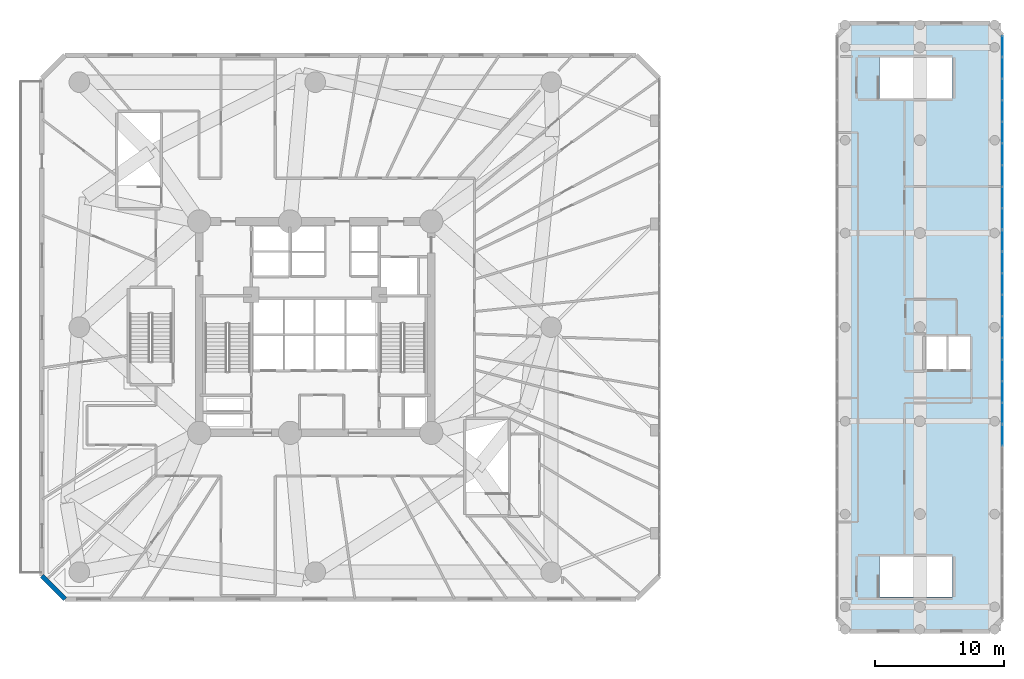
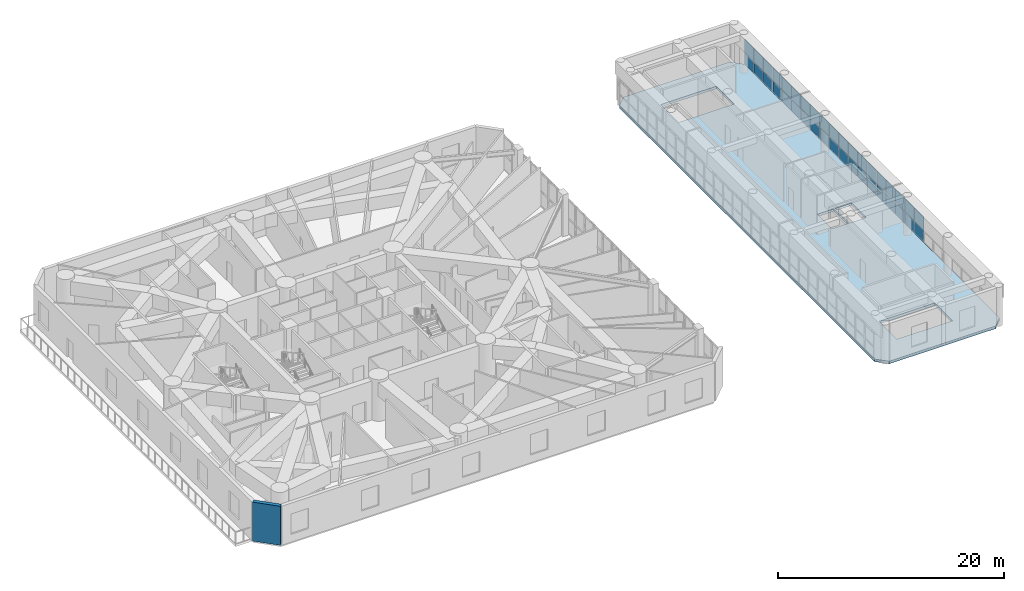
# One storey, part 12 of 22: 38 plates, 1 slab, 1 wall, 3 elements without a shape of their own.
"""IFC4 building model written with IfcOpenShell, lengths in metres."""

from ifc_helpers import new_model, si_unit, direction, frame, frame_2d, origin, origin_with_axes, origin_2d, place, context, subcontext, project, spatial, polyline, rectangle, outline, extrude, source, transform, mapped, material, layer, layer_set, type_object, element, aggregate, save


model = new_model("IFC4")

# Units and contexts
model_context = context("Model", 3, precision=1e-05, world=origin(), true_north=direction((0.0, 1.0)))
body_context = subcontext(model_context, "Body", "Model", "MODEL_VIEW")
ifc_project = project(units=[si_unit("LENGTHUNIT", "METRE"), si_unit("AREAUNIT", "SQUARE_METRE"), si_unit("VOLUMEUNIT", "CUBIC_METRE"), si_unit("PLANEANGLEUNIT", "RADIAN"), si_unit("MASSUNIT", "GRAM", prefix="KILO")], contexts=[model_context])

# Site, building, storey
site_placement = place(None, origin())
site = spatial("IfcSite", under=ifc_project, at=site_placement, CompositionType="ELEMENT")
building_placement = place(site_placement, origin())
building = spatial("IfcBuilding", under=site, at=building_placement, Name="Karkom Vertical University and Central Library", CompositionType="ELEMENT")
storey_placement = place(building_placement, frame((0.0, 0.0, 18.0)))
storey = spatial("IfcBuildingStorey", under=building, at=storey_placement, Name="L04", CompositionType="ELEMENT", Elevation=18.0)

# Slab
ifc_material_1 = material(Name="Concrete C45/55", Category="concrete")
ifc_layer_1 = layer(ifc_material_1, 0.27490234375)
ifc_layer_set_1 = layer_set([ifc_layer_1], Name="Concrete C45/55")
slab_type = type_object("IfcSlabType", Name="STR-SLB-FLR-275", PredefinedType="FLOOR", material=ifc_layer_set_1)
slab_placement = place(storey_placement, frame((0.0, 0.0, -0.27490234375)))
element("IfcSlab", 1, at=slab_placement, inside=storey, type_object=slab_type, Name="Level 04 Central Library Floor Slab", PredefinedType="FLOOR", context=body_context, shape_type="SweptSolid", body=[
    extrude(outline(polyline([(69.949951171875, 2.919921875), (80.85009765625, 2.919921875), (81.800048828125, 3.8701171875), (81.800048828125, 49.1298828125), (80.85009765625, 50.080078125), (69.949951171875, 50.080078125), (69.0, 49.1298828125), (69.0, 3.8701171875), (69.949951171875, 2.919921875)]), holes=[polyline([(72.264892578125, 5.550048828125), (77.949951171875, 5.550048828125), (77.949951171875, 8.7099609375), (72.264892578125, 8.7099609375), (72.264892578125, 5.550048828125)]), polyline([(72.264892578125, 44.25), (77.949951171875, 44.25), (77.949951171875, 47.409912109375), (72.264892578125, 47.409912109375), (72.264892578125, 44.25)]), polyline([(75.800048828125, 23.199951171875), (77.47998046875, 23.199951171875), (77.47998046875, 25.800048828125), (75.800048828125, 25.800048828125), (75.800048828125, 23.199951171875)]), polyline([(77.6201171875, 23.199951171875), (79.300048828125, 23.199951171875), (79.300048828125, 25.800048828125), (77.6201171875, 25.800048828125), (77.6201171875, 23.199951171875)])]), origin(), (0.0, 0.0, 1.0), 0.27490234375),
])

# Curtain wall, plate
ifc_material_2 = material(Name="Aluminium curtain-wall framing and low-E IGU", Category="aluminium")
ifc_layer_2 = layer(ifc_material_2, 0.199951171875)
ifc_layer_set_2 = layer_set([ifc_layer_2], Name="Aluminium curtain-wall framing and low-E IGU")
curtain_wall_type = type_object("IfcCurtainWallType", Name="ENV-CW-2", PredefinedType="USERDEFINED", material=ifc_layer_set_2)
curtain_wall_1_placement = place(storey_placement, origin())
curtain_wall_1 = element("IfcCurtainWall", 2, at=curtain_wall_1_placement, inside=storey, type_object=curtain_wall_type, Name="Level 04 CW-2 Curtain Wall Level 04-CW2-3-1", ObjectType="STICK MULLION GLAZING", PredefinedType="USERDEFINED")
ifc_material_3 = material(Name="Solar-control low-E double glazing 28mm", Category="glass")
ifc_layer_3 = layer(ifc_material_3, 0.028076171875)
ifc_layer_set_3 = layer_set([ifc_layer_3], Name="Solar-control low-E double glazing 28mm")
plate_type = type_object("IfcPlateType", Name="ENV-PLT-GLZ-28", PredefinedType="CURTAIN_PANEL", material=ifc_layer_set_3)
shared_shape_1 = source(origin_with_axes(), body_context, "Body", "SweptSolid", [
    extrude(rectangle(XDim=1.586181640625, YDim=0.028076171875, at=origin_2d()), origin(), (0.0, 0.0, 1.0), 1.181396484375),
])
plate_1_placement = place(storey_placement, frame((81.800048828125, 18.103515625, 0.06005859375), z_axis=(0.0, 0.0, 1.0), x_axis=(0.0, 1.0, 0.0)))
plate_1 = element("IfcPlate", 3, at=plate_1_placement, type_object=plate_type, Name="CW-2 panel 9.1", PredefinedType="CURTAIN_PANEL", context=body_context, shape_type="MappedRepresentation", body=[
    mapped(shared_shape_1, transform((0.0, 0.0, 0.0), scale=1.0)),
])

# Curtain wall, plates
curtain_wall_2_placement = place(storey_placement, origin())
curtain_wall_2 = element("IfcCurtainWall", 4, at=curtain_wall_2_placement, inside=storey, type_object=curtain_wall_type, Name="Level 04 CW-2 Curtain Wall Level 04-CW2-3-2", ObjectType="STICK MULLION GLAZING", PredefinedType="USERDEFINED")
plate_2_placement = place(storey_placement, frame((81.800048828125, 19.809814453125, 0.06005859375), z_axis=(0.0, 0.0, 1.0), x_axis=(0.0, 1.0, 0.0)))
plate_2 = element("IfcPlate", 5, at=plate_2_placement, type_object=plate_type, Name="CW-2 panel 1.1", PredefinedType="CURTAIN_PANEL", context=body_context, shape_type="MappedRepresentation", body=[
    mapped(shared_shape_1, transform((0.0, 0.0, 0.0), scale=1.0)),
])
plate_3_placement = place(storey_placement, frame((81.800048828125, 33.190185546875, 0.06005859375), z_axis=(0.0, 0.0, 1.0), x_axis=(0.0, 1.0, 0.0)))
plate_3 = element("IfcPlate", 6, at=plate_3_placement, type_object=plate_type, Name="CW-2 panel 9.1", PredefinedType="CURTAIN_PANEL", context=body_context, shape_type="MappedRepresentation", body=[
    mapped(shared_shape_1, transform((0.0, 0.0, 0.0), scale=1.0)),
])

curtain_wall_3_placement = place(storey_placement, origin())
curtain_wall_3 = element("IfcCurtainWall", 7, at=curtain_wall_3_placement, inside=storey, type_object=curtain_wall_type, Name="Level 04 CW-2 Curtain Wall Level 04-CW2-3-3", ObjectType="STICK MULLION GLAZING", PredefinedType="USERDEFINED")
plate_4_placement = place(storey_placement, frame((81.800048828125, 34.896484375, 0.06005859375), z_axis=(0.0, 0.0, 1.0), x_axis=(0.0, 1.0, 0.0)))
plate_4 = element("IfcPlate", 8, at=plate_4_placement, type_object=plate_type, Name="CW-2 panel 1.1", PredefinedType="CURTAIN_PANEL", context=body_context, shape_type="MappedRepresentation", body=[
    mapped(shared_shape_1, transform((0.0, 0.0, 0.0), scale=1.0)),
])
plate_5_placement = place(storey_placement, frame((81.800048828125, 48.27685546875, 0.06005859375), z_axis=(0.0, 0.0, 1.0), x_axis=(0.0, 1.0, 0.0)))
plate_5 = element("IfcPlate", 9, at=plate_5_placement, type_object=plate_type, Name="CW-2 panel 9.1", PredefinedType="CURTAIN_PANEL", context=body_context, shape_type="MappedRepresentation", body=[
    mapped(shared_shape_1, transform((0.0, 0.0, 0.0), scale=1.0)),
])

# Plate
shared_shape_2 = source(origin_with_axes(), body_context, "Body", "SweptSolid", [
    extrude(rectangle(XDim=1.586181640625, YDim=0.028076171875, at=origin_2d()), origin(), (0.0, 0.0, 1.0), 1.463623046875),
])
plate_6_placement = place(storey_placement, frame((81.800048828125, 18.103515625, 1.30126953125), z_axis=(0.0, 0.0, 1.0), x_axis=(0.0, 1.0, 0.0)))
plate_6 = element("IfcPlate", 10, at=plate_6_placement, type_object=plate_type, Name="CW-2 panel 9.2", PredefinedType="CURTAIN_PANEL", context=body_context, shape_type="MappedRepresentation", body=[
    mapped(shared_shape_2, transform((0.0, 0.0, 0.0), scale=1.0)),
])

aggregate(curtain_wall_1, [plate_1, plate_6])

plate_7_placement = place(storey_placement, frame((81.800048828125, 19.809814453125, 1.30126953125), z_axis=(0.0, 0.0, 1.0), x_axis=(0.0, 1.0, 0.0)))
plate_7 = element("IfcPlate", 11, at=plate_7_placement, type_object=plate_type, Name="CW-2 panel 1.2", PredefinedType="CURTAIN_PANEL", context=body_context, shape_type="MappedRepresentation", body=[
    mapped(shared_shape_2, transform((0.0, 0.0, 0.0), scale=1.0)),
])

plate_8_placement = place(storey_placement, frame((81.800048828125, 33.190185546875, 1.30126953125), z_axis=(0.0, 0.0, 1.0), x_axis=(0.0, 1.0, 0.0)))
plate_8 = element("IfcPlate", 12, at=plate_8_placement, type_object=plate_type, Name="CW-2 panel 9.2", PredefinedType="CURTAIN_PANEL", context=body_context, shape_type="MappedRepresentation", body=[
    mapped(shared_shape_2, transform((0.0, 0.0, 0.0), scale=1.0)),
])

plate_9_placement = place(storey_placement, frame((81.800048828125, 34.896484375, 1.30126953125), z_axis=(0.0, 0.0, 1.0), x_axis=(0.0, 1.0, 0.0)))
plate_9 = element("IfcPlate", 13, at=plate_9_placement, type_object=plate_type, Name="CW-2 panel 1.2", PredefinedType="CURTAIN_PANEL", context=body_context, shape_type="MappedRepresentation", body=[
    mapped(shared_shape_2, transform((0.0, 0.0, 0.0), scale=1.0)),
])

plate_10_placement = place(storey_placement, frame((81.800048828125, 48.27685546875, 1.30126953125), z_axis=(0.0, 0.0, 1.0), x_axis=(0.0, 1.0, 0.0)))
plate_10 = element("IfcPlate", 14, at=plate_10_placement, type_object=plate_type, Name="CW-2 panel 9.2", PredefinedType="CURTAIN_PANEL", context=body_context, shape_type="MappedRepresentation", body=[
    mapped(shared_shape_2, transform((0.0, 0.0, 0.0), scale=1.0)),
])

shared_shape_3 = source(origin_with_axes(), body_context, "Body", "SweptSolid", [
    extrude(rectangle(XDim=1.6162109375, YDim=0.028076171875, at=origin_2d()), origin(), (0.0, 0.0, 1.0), 1.181396484375),
])
plate_11_placement = place(storey_placement, frame((81.800048828125, 21.47119140625, 0.06005859375), z_axis=(0.0, 0.0, 1.0), x_axis=(0.0, 1.0, 0.0)))
plate_11 = element("IfcPlate", 15, at=plate_11_placement, type_object=plate_type, Name="CW-2 panel 2.1", PredefinedType="CURTAIN_PANEL", context=body_context, shape_type="MappedRepresentation", body=[
    mapped(shared_shape_3, transform((0.0, 0.0, 0.0), scale=1.0)),
])

plate_12_placement = place(storey_placement, frame((81.800048828125, 23.1474609375, 0.06005859375), z_axis=(0.0, 0.0, 1.0), x_axis=(0.0, 1.0, 0.0)))
plate_12 = element("IfcPlate", 16, at=plate_12_placement, type_object=plate_type, Name="CW-2 panel 3.1", PredefinedType="CURTAIN_PANEL", context=body_context, shape_type="MappedRepresentation", body=[
    mapped(shared_shape_3, transform((0.0, 0.0, 0.0), scale=1.0)),
])

plate_13_placement = place(storey_placement, frame((81.800048828125, 24.82373046875, 0.06005859375), z_axis=(0.0, 0.0, 1.0), x_axis=(0.0, 1.0, 0.0)))
plate_13 = element("IfcPlate", 17, at=plate_13_placement, type_object=plate_type, Name="CW-2 panel 4.1", PredefinedType="CURTAIN_PANEL", context=body_context, shape_type="MappedRepresentation", body=[
    mapped(shared_shape_3, transform((0.0, 0.0, 0.0), scale=1.0)),
])

plate_14_placement = place(storey_placement, frame((81.800048828125, 26.5, 0.06005859375), z_axis=(0.0, 0.0, 1.0), x_axis=(0.0, 1.0, 0.0)))
plate_14 = element("IfcPlate", 18, at=plate_14_placement, type_object=plate_type, Name="CW-2 panel 5.1", PredefinedType="CURTAIN_PANEL", context=body_context, shape_type="MappedRepresentation", body=[
    mapped(shared_shape_3, transform((0.0, 0.0, 0.0), scale=1.0)),
])

plate_15_placement = place(storey_placement, frame((81.800048828125, 28.17626953125, 0.06005859375), z_axis=(0.0, 0.0, 1.0), x_axis=(0.0, 1.0, 0.0)))
plate_15 = element("IfcPlate", 19, at=plate_15_placement, type_object=plate_type, Name="CW-2 panel 6.1", PredefinedType="CURTAIN_PANEL", context=body_context, shape_type="MappedRepresentation", body=[
    mapped(shared_shape_3, transform((0.0, 0.0, 0.0), scale=1.0)),
])

plate_16_placement = place(storey_placement, frame((81.800048828125, 29.8525390625, 0.06005859375), z_axis=(0.0, 0.0, 1.0), x_axis=(0.0, 1.0, 0.0)))
plate_16 = element("IfcPlate", 20, at=plate_16_placement, type_object=plate_type, Name="CW-2 panel 7.1", PredefinedType="CURTAIN_PANEL", context=body_context, shape_type="MappedRepresentation", body=[
    mapped(shared_shape_3, transform((0.0, 0.0, 0.0), scale=1.0)),
])

plate_17_placement = place(storey_placement, frame((81.800048828125, 31.52880859375, 0.06005859375), z_axis=(0.0, 0.0, 1.0), x_axis=(0.0, 1.0, 0.0)))
plate_17 = element("IfcPlate", 21, at=plate_17_placement, type_object=plate_type, Name="CW-2 panel 8.1", PredefinedType="CURTAIN_PANEL", context=body_context, shape_type="MappedRepresentation", body=[
    mapped(shared_shape_3, transform((0.0, 0.0, 0.0), scale=1.0)),
])

plate_18_placement = place(storey_placement, frame((81.800048828125, 36.557861328125, 0.06005859375), z_axis=(0.0, 0.0, 1.0), x_axis=(0.0, 1.0, 0.0)))
plate_18 = element("IfcPlate", 22, at=plate_18_placement, type_object=plate_type, Name="CW-2 panel 2.1", PredefinedType="CURTAIN_PANEL", context=body_context, shape_type="MappedRepresentation", body=[
    mapped(shared_shape_3, transform((0.0, 0.0, 0.0), scale=1.0)),
])

plate_19_placement = place(storey_placement, frame((81.800048828125, 38.234130859375, 0.06005859375), z_axis=(0.0, 0.0, 1.0), x_axis=(0.0, 1.0, 0.0)))
plate_19 = element("IfcPlate", 23, at=plate_19_placement, type_object=plate_type, Name="CW-2 panel 3.1", PredefinedType="CURTAIN_PANEL", context=body_context, shape_type="MappedRepresentation", body=[
    mapped(shared_shape_3, transform((0.0, 0.0, 0.0), scale=1.0)),
])

plate_20_placement = place(storey_placement, frame((81.800048828125, 39.910400390625, 0.06005859375), z_axis=(0.0, 0.0, 1.0), x_axis=(0.0, 1.0, 0.0)))
plate_20 = element("IfcPlate", 24, at=plate_20_placement, type_object=plate_type, Name="CW-2 panel 4.1", PredefinedType="CURTAIN_PANEL", context=body_context, shape_type="MappedRepresentation", body=[
    mapped(shared_shape_3, transform((0.0, 0.0, 0.0), scale=1.0)),
])

plate_21_placement = place(storey_placement, frame((81.800048828125, 41.586669921875, 0.06005859375), z_axis=(0.0, 0.0, 1.0), x_axis=(0.0, 1.0, 0.0)))
plate_21 = element("IfcPlate", 25, at=plate_21_placement, type_object=plate_type, Name="CW-2 panel 5.1", PredefinedType="CURTAIN_PANEL", context=body_context, shape_type="MappedRepresentation", body=[
    mapped(shared_shape_3, transform((0.0, 0.0, 0.0), scale=1.0)),
])

plate_22_placement = place(storey_placement, frame((81.800048828125, 43.262939453125, 0.06005859375), z_axis=(0.0, 0.0, 1.0), x_axis=(0.0, 1.0, 0.0)))
plate_22 = element("IfcPlate", 26, at=plate_22_placement, type_object=plate_type, Name="CW-2 panel 6.1", PredefinedType="CURTAIN_PANEL", context=body_context, shape_type="MappedRepresentation", body=[
    mapped(shared_shape_3, transform((0.0, 0.0, 0.0), scale=1.0)),
])

plate_23_placement = place(storey_placement, frame((81.800048828125, 44.939208984375, 0.06005859375), z_axis=(0.0, 0.0, 1.0), x_axis=(0.0, 1.0, 0.0)))
plate_23 = element("IfcPlate", 27, at=plate_23_placement, type_object=plate_type, Name="CW-2 panel 7.1", PredefinedType="CURTAIN_PANEL", context=body_context, shape_type="MappedRepresentation", body=[
    mapped(shared_shape_3, transform((0.0, 0.0, 0.0), scale=1.0)),
])

plate_24_placement = place(storey_placement, frame((81.800048828125, 46.615478515625, 0.06005859375), z_axis=(0.0, 0.0, 1.0), x_axis=(0.0, 1.0, 0.0)))
plate_24 = element("IfcPlate", 28, at=plate_24_placement, type_object=plate_type, Name="CW-2 panel 8.1", PredefinedType="CURTAIN_PANEL", context=body_context, shape_type="MappedRepresentation", body=[
    mapped(shared_shape_3, transform((0.0, 0.0, 0.0), scale=1.0)),
])

shared_shape_4 = source(origin_with_axes(), body_context, "Body", "SweptSolid", [
    extrude(rectangle(XDim=1.6162109375, YDim=0.028076171875, at=origin_2d()), origin(), (0.0, 0.0, 1.0), 1.463623046875),
])
plate_25_placement = place(storey_placement, frame((81.800048828125, 21.47119140625, 1.30126953125), z_axis=(0.0, 0.0, 1.0), x_axis=(0.0, 1.0, 0.0)))
plate_25 = element("IfcPlate", 29, at=plate_25_placement, type_object=plate_type, Name="CW-2 panel 2.2", PredefinedType="CURTAIN_PANEL", context=body_context, shape_type="MappedRepresentation", body=[
    mapped(shared_shape_4, transform((0.0, 0.0, 0.0), scale=1.0)),
])

plate_26_placement = place(storey_placement, frame((81.800048828125, 23.1474609375, 1.30126953125), z_axis=(0.0, 0.0, 1.0), x_axis=(0.0, 1.0, 0.0)))
plate_26 = element("IfcPlate", 30, at=plate_26_placement, type_object=plate_type, Name="CW-2 panel 3.2", PredefinedType="CURTAIN_PANEL", context=body_context, shape_type="MappedRepresentation", body=[
    mapped(shared_shape_4, transform((0.0, 0.0, 0.0), scale=1.0)),
])

plate_27_placement = place(storey_placement, frame((81.800048828125, 24.82373046875, 1.30126953125), z_axis=(0.0, 0.0, 1.0), x_axis=(0.0, 1.0, 0.0)))
plate_27 = element("IfcPlate", 31, at=plate_27_placement, type_object=plate_type, Name="CW-2 panel 4.2", PredefinedType="CURTAIN_PANEL", context=body_context, shape_type="MappedRepresentation", body=[
    mapped(shared_shape_4, transform((0.0, 0.0, 0.0), scale=1.0)),
])

plate_28_placement = place(storey_placement, frame((81.800048828125, 26.5, 1.30126953125), z_axis=(0.0, 0.0, 1.0), x_axis=(0.0, 1.0, 0.0)))
plate_28 = element("IfcPlate", 32, at=plate_28_placement, type_object=plate_type, Name="CW-2 panel 5.2", PredefinedType="CURTAIN_PANEL", context=body_context, shape_type="MappedRepresentation", body=[
    mapped(shared_shape_4, transform((0.0, 0.0, 0.0), scale=1.0)),
])

plate_29_placement = place(storey_placement, frame((81.800048828125, 28.17626953125, 1.30126953125), z_axis=(0.0, 0.0, 1.0), x_axis=(0.0, 1.0, 0.0)))
plate_29 = element("IfcPlate", 33, at=plate_29_placement, type_object=plate_type, Name="CW-2 panel 6.2", PredefinedType="CURTAIN_PANEL", context=body_context, shape_type="MappedRepresentation", body=[
    mapped(shared_shape_4, transform((0.0, 0.0, 0.0), scale=1.0)),
])

plate_30_placement = place(storey_placement, frame((81.800048828125, 29.8525390625, 1.30126953125), z_axis=(0.0, 0.0, 1.0), x_axis=(0.0, 1.0, 0.0)))
plate_30 = element("IfcPlate", 34, at=plate_30_placement, type_object=plate_type, Name="CW-2 panel 7.2", PredefinedType="CURTAIN_PANEL", context=body_context, shape_type="MappedRepresentation", body=[
    mapped(shared_shape_4, transform((0.0, 0.0, 0.0), scale=1.0)),
])

plate_31_placement = place(storey_placement, frame((81.800048828125, 31.52880859375, 1.30126953125), z_axis=(0.0, 0.0, 1.0), x_axis=(0.0, 1.0, 0.0)))
plate_31 = element("IfcPlate", 35, at=plate_31_placement, type_object=plate_type, Name="CW-2 panel 8.2", PredefinedType="CURTAIN_PANEL", context=body_context, shape_type="MappedRepresentation", body=[
    mapped(shared_shape_4, transform((0.0, 0.0, 0.0), scale=1.0)),
])

aggregate(curtain_wall_2, [plate_2, plate_7, plate_11, plate_25, plate_12, plate_26, plate_13, plate_27, plate_14, plate_28, plate_15, plate_29, plate_16, plate_30, plate_17, plate_31, plate_3, plate_8])

plate_32_placement = place(storey_placement, frame((81.800048828125, 36.557861328125, 1.30126953125), z_axis=(0.0, 0.0, 1.0), x_axis=(0.0, 1.0, 0.0)))
plate_32 = element("IfcPlate", 36, at=plate_32_placement, type_object=plate_type, Name="CW-2 panel 2.2", PredefinedType="CURTAIN_PANEL", context=body_context, shape_type="MappedRepresentation", body=[
    mapped(shared_shape_4, transform((0.0, 0.0, 0.0), scale=1.0)),
])

plate_33_placement = place(storey_placement, frame((81.800048828125, 38.234130859375, 1.30126953125), z_axis=(0.0, 0.0, 1.0), x_axis=(0.0, 1.0, 0.0)))
plate_33 = element("IfcPlate", 37, at=plate_33_placement, type_object=plate_type, Name="CW-2 panel 3.2", PredefinedType="CURTAIN_PANEL", context=body_context, shape_type="MappedRepresentation", body=[
    mapped(shared_shape_4, transform((0.0, 0.0, 0.0), scale=1.0)),
])

plate_34_placement = place(storey_placement, frame((81.800048828125, 39.910400390625, 1.30126953125), z_axis=(0.0, 0.0, 1.0), x_axis=(0.0, 1.0, 0.0)))
plate_34 = element("IfcPlate", 38, at=plate_34_placement, type_object=plate_type, Name="CW-2 panel 4.2", PredefinedType="CURTAIN_PANEL", context=body_context, shape_type="MappedRepresentation", body=[
    mapped(shared_shape_4, transform((0.0, 0.0, 0.0), scale=1.0)),
])

plate_35_placement = place(storey_placement, frame((81.800048828125, 41.586669921875, 1.30126953125), z_axis=(0.0, 0.0, 1.0), x_axis=(0.0, 1.0, 0.0)))
plate_35 = element("IfcPlate", 39, at=plate_35_placement, type_object=plate_type, Name="CW-2 panel 5.2", PredefinedType="CURTAIN_PANEL", context=body_context, shape_type="MappedRepresentation", body=[
    mapped(shared_shape_4, transform((0.0, 0.0, 0.0), scale=1.0)),
])

plate_36_placement = place(storey_placement, frame((81.800048828125, 43.262939453125, 1.30126953125), z_axis=(0.0, 0.0, 1.0), x_axis=(0.0, 1.0, 0.0)))
plate_36 = element("IfcPlate", 40, at=plate_36_placement, type_object=plate_type, Name="CW-2 panel 6.2", PredefinedType="CURTAIN_PANEL", context=body_context, shape_type="MappedRepresentation", body=[
    mapped(shared_shape_4, transform((0.0, 0.0, 0.0), scale=1.0)),
])

plate_37_placement = place(storey_placement, frame((81.800048828125, 44.939208984375, 1.30126953125), z_axis=(0.0, 0.0, 1.0), x_axis=(0.0, 1.0, 0.0)))
plate_37 = element("IfcPlate", 41, at=plate_37_placement, type_object=plate_type, Name="CW-2 panel 7.2", PredefinedType="CURTAIN_PANEL", context=body_context, shape_type="MappedRepresentation", body=[
    mapped(shared_shape_4, transform((0.0, 0.0, 0.0), scale=1.0)),
])

plate_38_placement = place(storey_placement, frame((81.800048828125, 46.615478515625, 1.30126953125), z_axis=(0.0, 0.0, 1.0), x_axis=(0.0, 1.0, 0.0)))
plate_38 = element("IfcPlate", 42, at=plate_38_placement, type_object=plate_type, Name="CW-2 panel 8.2", PredefinedType="CURTAIN_PANEL", context=body_context, shape_type="MappedRepresentation", body=[
    mapped(shared_shape_4, transform((0.0, 0.0, 0.0), scale=1.0)),
])

aggregate(curtain_wall_3, [plate_4, plate_9, plate_18, plate_32, plate_19, plate_33, plate_20, plate_34, plate_21, plate_35, plate_22, plate_36, plate_23, plate_37, plate_24, plate_38, plate_5, plate_10])

# Wall
ifc_material_4 = material(Name="Brick masonry 360mm insulated cavity", Category="masonry")
ifc_layer_4 = layer(ifc_material_4, 0.360107421875)
ifc_layer_set_4 = layer_set([ifc_layer_4], Name="Brick masonry 360mm insulated cavity")
wall_type = type_object("IfcWallType", Name="ENV-WL-BRK-360", PredefinedType="SOLIDWALL", material=ifc_layer_set_4)
wall_placement = place(storey_placement, frame((7.300048828125, 7.199951171875, 0.0), z_axis=(0.0, 0.0, 1.0), x_axis=(0.707106781187, -0.707106781187, 0.0)))
element("IfcWall", 43, at=wall_placement, inside=storey, type_object=wall_type, Name="Level 04 POD Terracotta Brick Facade Wall 08", PredefinedType="SOLIDWALL", context=body_context, shape_type="SweptSolid", body=[
    extrude(rectangle(XDim=2.545654296875, YDim=0.360107421875, at=frame_2d((1.27294921875, 0.0))), origin(), (0.0, 0.0, 1.0), 4.22509765625),
])

save(model, "model.ifc")
